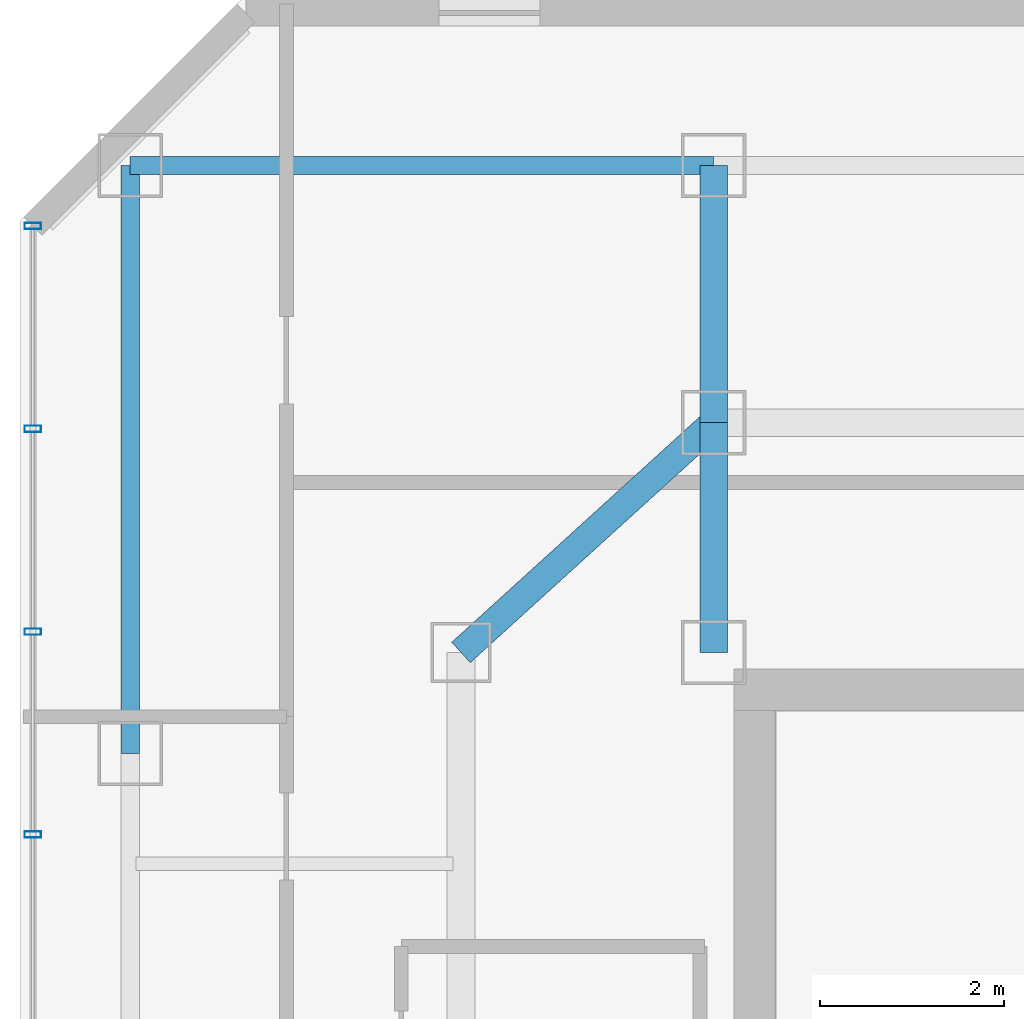
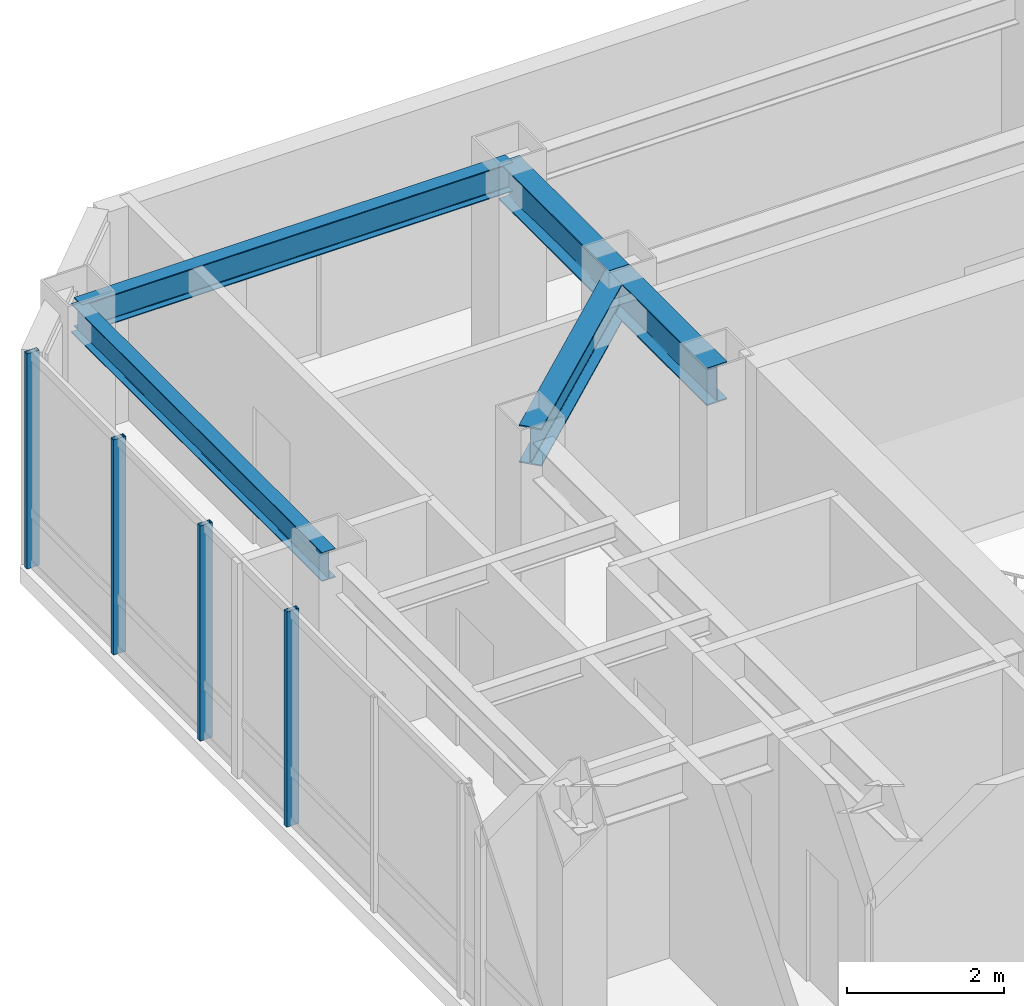
# One storey, part 15 of 26: 5 beams, 4 members, 1 element without a shape of its own.
"""IFC4 building model written with IfcOpenShell, lengths in metres."""

import ifcopenshell
import ifcopenshell.guid

model = None  # the IFC model being written
_history = None  # IfcOwnerHistory: only IFC2X3 demands one
_inside = {}  # id of a spatial element -> (the spatial element, [elements in it])
_under = {}  # id of a project, library or spatial element -> (it, [spatial elements below it])
_declared = {}  # id of a project -> (the project, [libraries it declares])
_typed = {}  # id of a type object -> (the type object, [elements of that type])
_made_of = {}  # id of a material, layer set ... -> (it, [elements and type objects made of it])


def new_model(schema):
    """Start an empty IFC model of exactly this schema.

    Asked for "IFC4X3", IfcOpenShell would pick the latest addendum, in which some entities
    have other attributes; the version numbers below select the first issue.
    IFC2X3 requires an IfcOwnerHistory on every rooted entity: one is made here for all.
    """
    global model, _history
    if schema == "IFC4X3":
        model = ifcopenshell.file(schema_version=(4, 3, 0, 0))
    else:
        model = ifcopenshell.file(schema=schema)
    _inside.clear()
    _under.clear()
    _declared.clear()
    _typed.clear()
    _made_of.clear()
    _history = None
    if model.schema == "IFC2X3":
        org = make("IfcOrganization", Name="unknown")
        user = make(
            "IfcPersonAndOrganization",
            ThePerson=make("IfcPerson", FamilyName="unknown"),
            TheOrganization=org,
        )
        app = make(
            "IfcApplication",
            ApplicationDeveloper=org,
            Version="unknown",
            ApplicationFullName="unknown",
            ApplicationIdentifier="unknown",
        )
        _history = make(
            "IfcOwnerHistory",
            OwningUser=user,
            OwningApplication=app,
            ChangeAction="ADDED",
            CreationDate=0,
        )
    return model


def make(cls, **values):
    """One entity of the class cls with the attributes given. An attribute that is None is left unset."""
    return model.create_entity(
        cls, **{name: value for name, value in values.items() if value is not None}
    )


def rooted(cls, **values):
    """An entity with a GlobalId (a new one), such as an element, a storey or a relation."""
    return make(cls, GlobalId=ifcopenshell.guid.new(), OwnerHistory=_history, **values)


def si_unit(unit_type, name, prefix=None):
    """IfcSIUnit, for example si_unit("LENGTHUNIT", "METRE", prefix="MILLI")."""
    return make("IfcSIUnit", UnitType=unit_type, Prefix=prefix, Name=name)


def assignment(units):
    """IfcUnitAssignment: the units of a project."""
    return None if units is None else make("IfcUnitAssignment", Units=units)


def point(xyz):
    """IfcCartesianPoint."""
    return None if xyz is None else make("IfcCartesianPoint", Coordinates=xyz)


def direction(xyz):
    """IfcDirection."""
    return None if xyz is None else make("IfcDirection", DirectionRatios=xyz)


def frame(location, z_axis=None, x_axis=None):
    """IfcAxis2Placement3D, a coordinate frame: its origin and axes. An axis left out is left unset."""
    return make(
        "IfcAxis2Placement3D",
        Location=point(location),
        Axis=direction(z_axis),
        RefDirection=direction(x_axis),
    )


def frame_2d(location, x_axis=None):
    """IfcAxis2Placement2D, a coordinate frame in the plane: its origin and x axis."""
    return make(
        "IfcAxis2Placement2D", Location=point(location), RefDirection=direction(x_axis)
    )


def origin():
    """The frame at (0, 0, 0) with its axes left unset."""
    return frame((0.0, 0.0, 0.0))


def origin_2d():
    """The frame at (0, 0) in the plane with its x axis left unset."""
    return frame_2d((0.0, 0.0))


def place(relative_to, where):
    """IfcLocalPlacement: puts the frame where relative to a parent placement (None: the world)."""
    return make(
        "IfcLocalPlacement", PlacementRelTo=relative_to, RelativePlacement=where
    )


def context(
    kind, dimensions, precision=None, world=None, true_north=None, identifier=None
):
    """IfcGeometricRepresentationContext, for example the 3D "Model" context."""
    return make(
        "IfcGeometricRepresentationContext",
        ContextIdentifier=identifier,
        ContextType=kind,
        CoordinateSpaceDimension=dimensions,
        Precision=precision,
        WorldCoordinateSystem=world,
        TrueNorth=true_north,
    )


def subcontext(parent, identifier, kind, view, scale=None):
    """IfcGeometricRepresentationSubContext, for example "Body" below "Model"."""
    return make(
        "IfcGeometricRepresentationSubContext",
        ContextIdentifier=identifier,
        ContextType=kind,
        ParentContext=parent,
        TargetScale=scale,
        TargetView=view,
    )


def project(units=None, contexts=None):
    """IfcProject with its units and contexts."""
    return rooted(
        "IfcProject",
        Name="project",
        RepresentationContexts=contexts,
        UnitsInContext=assignment(units),
    )


def spatial(cls, under=None, at=None, **own):
    """A site, building, storey or space (cls), placed at a placement, below another one or the project."""
    s = rooted(cls, ObjectPlacement=at, **own)
    if under is not None:
        _under.setdefault(under.id(), (under, []))[1].append(s)
    return s


def profile(cls, at=None, kind="AREA", **sizes):
    """A parametric profile (cls). Its sizes go by their IFC names, for example OverallWidth=200.0."""
    return make(cls, ProfileType=kind, Position=at, **sizes)


def hollow_rectangle(**sizes):
    """IfcRectangleHollowProfileDef."""
    return profile("IfcRectangleHollowProfileDef", **sizes)


def i_section(**sizes):
    """IfcIShapeProfileDef."""
    return profile("IfcIShapeProfileDef", **sizes)


def extrude(swept, where, along, depth):
    """IfcExtrudedAreaSolid: the profile swept, set in the frame where, extruded along a direction by depth."""
    return make(
        "IfcExtrudedAreaSolid",
        SweptArea=swept,
        Position=where,
        ExtrudedDirection=direction(along),
        Depth=depth,
    )


def shape(context_of_items, identifier, shape_type, items):
    """IfcShapeRepresentation: the items that make up one representation, for example the "Body"."""
    return make(
        "IfcShapeRepresentation",
        ContextOfItems=context_of_items,
        RepresentationIdentifier=identifier,
        RepresentationType=shape_type,
        Items=items,
    )


def material(Name=None, Category=None):
    """IfcMaterial."""
    return make("IfcMaterial", Name=Name, Category=Category)


def layer(
    of_material, thickness, ventilated=None, Name=None, Category=None, Priority=None
):
    """IfcMaterialLayer: one layer of a wall or slab, of a material (None: an air gap)."""
    return make(
        "IfcMaterialLayer",
        Material=of_material,
        LayerThickness=thickness,
        IsVentilated=ventilated,
        Name=Name,
        Category=Category,
        Priority=Priority,
    )


def layer_set(layers, Name=None):
    """IfcMaterialLayerSet."""
    return make("IfcMaterialLayerSet", MaterialLayers=layers, LayerSetName=Name)


def material_profile(
    of_material, cross_section, Name=None, Category=None, Priority=None
):
    """IfcMaterialProfile: a cross section and its material."""
    return make(
        "IfcMaterialProfile",
        Name=Name,
        Material=of_material,
        Profile=cross_section,
        Priority=Priority,
        Category=Category,
    )


def profile_set(profiles, Name=None, composite=None):
    """IfcMaterialProfileSet."""
    return make(
        "IfcMaterialProfileSet",
        Name=Name,
        MaterialProfiles=profiles,
        CompositeProfile=composite,
    )


def made_of(thing, what):
    """Note that an element or type object is made of a material, layer set ...; save() writes the relation."""
    if what is not None:
        _made_of.setdefault(what.id(), (what, []))[1].append(thing)
    return thing


def type_object(cls, material=None, **own):
    """A type object (cls), such as IfcWallType, which elements share."""
    return made_of(rooted(cls, **own), material)


def element(
    cls,
    number,
    at=None,
    inside=None,
    cuts=None,
    type_object=None,
    material=None,
    context=None,
    identifier="Body",
    shape_type=None,
    held_by="IfcProductDefinitionShape",
    body=None,
    shapes=None,
    **own,
):
    """One element of the class cls, such as IfcWall. Its Tag is "e" and its number.

    at: its placement. inside: the storey or other place that contains it. cuts: it is an
    opening in that element (IfcRelVoidsElement). A single representation is given by context,
    identifier, shape_type and body (its items); several are given by shapes. held_by: the class
    of the entity that holds the representations. save() writes the other relations.
    """
    e = rooted(cls, Tag="e%d" % number, ObjectPlacement=at, **own)
    if body is not None:
        shapes = [shape(context, identifier, shape_type, body)]
    if shapes is not None:
        e.Representation = make(held_by, Representations=shapes)
    if inside is not None:
        _inside.setdefault(inside.id(), (inside, []))[1].append(e)
    if cuts is not None:
        rooted(
            "IfcRelVoidsElement", RelatingBuildingElement=cuts, RelatedOpeningElement=e
        )
    if type_object is not None:
        _typed.setdefault(type_object.id(), (type_object, []))[1].append(e)
    return made_of(e, material)


def aggregate(whole, parts):
    """IfcRelAggregates: a whole, such as a stair, and the parts it consists of."""
    return rooted("IfcRelAggregates", RelatingObject=whole, RelatedObjects=parts)


def save(model, path):
    """Write the relations noted so far, then the file.

    IfcRelAggregates (storeys below a building ...), IfcRelContainedInSpatialStructure (elements
    in a storey), IfcRelDefinesByType, IfcRelAssociatesMaterial and IfcRelDeclares: one each for
    every whole, place, type object, material and project.
    """
    for whole, parts in _under.values():
        aggregate(whole, parts)
    for where, things in _inside.values():
        rooted(
            "IfcRelContainedInSpatialStructure",
            RelatedElements=things,
            RelatingStructure=where,
        )
    for kind, things in _typed.values():
        rooted("IfcRelDefinesByType", RelatedObjects=things, RelatingType=kind)
    for what, things in _made_of.values():
        rooted("IfcRelAssociatesMaterial", RelatedObjects=things, RelatingMaterial=what)
    for by, libraries in _declared.values():
        rooted("IfcRelDeclares", RelatingContext=by, RelatedDefinitions=libraries)
    model.write(path)


model = new_model("IFC4")

# Units and contexts
model_context = context("Model", 3, precision=1e-05, world=origin(), true_north=direction((0.0, 1.0)))
body_context = subcontext(model_context, "Body", "Model", "MODEL_VIEW")
ifc_project = project(units=[si_unit("LENGTHUNIT", "METRE"), si_unit("AREAUNIT", "SQUARE_METRE"), si_unit("VOLUMEUNIT", "CUBIC_METRE"), si_unit("PLANEANGLEUNIT", "RADIAN"), si_unit("MASSUNIT", "GRAM", prefix="KILO")], contexts=[model_context])

# Site, building, storey
site_placement = place(None, origin())
site = spatial("IfcSite", under=ifc_project, at=site_placement, CompositionType="ELEMENT")
building_placement = place(site_placement, origin())
building = spatial("IfcBuilding", under=site, at=building_placement, Name="Hatsunagi Terrace Concourse", CompositionType="ELEMENT")
storey_placement = place(building_placement, frame((0.0, 0.0, 227.550048828125)))
storey = spatial("IfcBuildingStorey", under=building, at=storey_placement, Name="L60", CompositionType="ELEMENT", Elevation=227.550048828125)

# Curtain wall, members
ifc_material_1 = material(Name="Anodised Aluminium Alloy 6063-T5", Category="aluminium")
ifc_layer = layer(ifc_material_1, 0.199951171875)
ifc_layer_set = layer_set([ifc_layer], Name="OfficeZone2_CW04")
curtain_wall_type = type_object("IfcCurtainWallType", Name="OfficeZone2_CW04", PredefinedType="NOTDEFINED", material=ifc_layer_set)
curtain_wall_placement = place(storey_placement, origin())
curtain_wall = element("IfcCurtainWall", 1, at=curtain_wall_placement, inside=storey, type_object=curtain_wall_type, Name="Unitised Curtain Wall CW-04 CW-L60-08", PredefinedType="NOTDEFINED")
ifc_material_2 = material(Name="Anodised Aluminium Alloy 6063-T5", Category="aluminium")
ifc_material_profile_1 = material_profile(ifc_material_2, hollow_rectangle(XDim=0.070068359375, YDim=0.179931640625, WallThickness=0.00390625, at=origin_2d()), Name="ALU-MUL-180x70x4")
ifc_profile_set_1 = profile_set([ifc_material_profile_1], Name="Anodised Aluminium Alloy 6063-T5")
member_type = type_object("IfcMemberType", Name="CurtainWallMullion_180x70", PredefinedType="MULLION", material=ifc_profile_set_1)
member_1_placement = place(storey_placement, frame((18.139892578125, 41.31689453125, 0.0), z_axis=(0.0, 0.0, 1.0), x_axis=(0.0, 1.0, 0.0)))
member_1 = element("IfcMember", 2, at=member_1_placement, type_object=member_type, Name="Curtain Wall Mullion MUL-02", PredefinedType="MULLION", context=body_context, shape_type="SweptSolid", body=[
    extrude(hollow_rectangle(XDim=0.070068359375, YDim=0.179931640625, WallThickness=0.00390625, at=origin_2d()), origin(), (0.0, 0.0, 1.0), 3.349853515625),
])
member_2_placement = place(storey_placement, frame((18.139892578125, 43.52490234375, 0.0), z_axis=(0.0, 0.0, 1.0), x_axis=(0.0, 1.0, 0.0)))
member_2 = element("IfcMember", 3, at=member_2_placement, type_object=member_type, Name="Curtain Wall Mullion MUL-02", PredefinedType="MULLION", context=body_context, shape_type="SweptSolid", body=[
    extrude(hollow_rectangle(XDim=0.070068359375, YDim=0.179931640625, WallThickness=0.00390625, at=origin_2d()), origin(), (0.0, 0.0, 1.0), 3.349853515625),
])
member_3_placement = place(storey_placement, frame((18.139892578125, 45.73388671875, 0.0), z_axis=(0.0, 0.0, 1.0), x_axis=(0.0, 1.0, 0.0)))
member_3 = element("IfcMember", 4, at=member_3_placement, type_object=member_type, Name="Curtain Wall Mullion MUL-02", PredefinedType="MULLION", context=body_context, shape_type="SweptSolid", body=[
    extrude(hollow_rectangle(XDim=0.070068359375, YDim=0.179931640625, WallThickness=0.00390625, at=origin_2d()), origin(), (0.0, 0.0, 1.0), 3.349853515625),
])
member_4_placement = place(storey_placement, frame((18.139892578125, 47.94189453125, 0.0), z_axis=(0.0, 0.0, 1.0), x_axis=(0.0, 1.0, 0.0)))
member_4 = element("IfcMember", 5, at=member_4_placement, type_object=member_type, Name="Curtain Wall Mullion MUL-02", PredefinedType="MULLION", context=body_context, shape_type="SweptSolid", body=[
    extrude(hollow_rectangle(XDim=0.070068359375, YDim=0.179931640625, WallThickness=0.00390625, at=origin_2d()), origin(), (0.0, 0.0, 1.0), 3.349853515625),
])
aggregate(curtain_wall, [member_1, member_2, member_3, member_4])

# Beams
ifc_material_3 = material(Name="Steel SN490B", Category="steel")
ifc_material_profile_2 = material_profile(ifc_material_3, i_section(OverallWidth=0.300048828125, OverallDepth=0.587890625, WebThickness=0.011962890625, FlangeThickness=0.02001953125, FilletRadius=0.01806640625, at=origin_2d()), Name="H-588x300x12x20")
ifc_profile_set_2 = profile_set([ifc_material_profile_2], Name="Steel SN490B")
beam_type_1 = type_object("IfcBeamType", Name="OfficeHighGirder_H_588x300", PredefinedType="BEAM", material=ifc_profile_set_2)
beam_1_placement = place(storey_placement, frame((25.550048828125, 43.300048828125, 3.055908203125), z_axis=(0.0, 1.0, 0.0), x_axis=(-1.0, 0.0, 0.0)))
element("IfcBeam", 6, at=beam_1_placement, inside=storey, type_object=beam_type_1, Name="Beam G-06 BM-L60-CN1", PredefinedType="BEAM", context=body_context, shape_type="SweptSolid", body=[
    extrude(i_section(OverallWidth=0.300048828125, OverallDepth=0.587890625, WebThickness=0.011962890625, FlangeThickness=0.02001953125, FilletRadius=0.01806640625, at=origin_2d()), origin(), (0.0, 0.0, 1.0), 2.5),
])
beam_2_placement = place(storey_placement, frame((25.550048828125, 45.800048828125, 3.055908203125), z_axis=(0.0, 1.0, 0.0), x_axis=(-1.0, 0.0, 0.0)))
element("IfcBeam", 7, at=beam_2_placement, inside=storey, type_object=beam_type_1, Name="Beam G-06 BM-L60-KN-WN4", PredefinedType="BEAM", context=body_context, shape_type="SweptSolid", body=[
    extrude(i_section(OverallWidth=0.300048828125, OverallDepth=0.587890625, WebThickness=0.011962890625, FlangeThickness=0.02001953125, FilletRadius=0.01806640625, at=origin_2d()), origin(), (0.0, 0.0, 1.0), 2.800048828125),
])
beam_3_placement = place(storey_placement, frame((22.800048828125, 43.300048828125, 3.055908203125), z_axis=(0.739940073396, 0.672672793996, 0.0), x_axis=(-0.672672793996, 0.739940073396, 0.0)))
element("IfcBeam", 8, at=beam_3_placement, inside=storey, type_object=beam_type_1, Name="Beam G-06 BM-L60-CWEW-N", PredefinedType="BEAM", context=body_context, shape_type="SweptSolid", body=[
    extrude(i_section(OverallWidth=0.300048828125, OverallDepth=0.587890625, WebThickness=0.011962890625, FlangeThickness=0.02001953125, FilletRadius=0.01806640625, at=origin_2d()), origin(), (0.0, 0.0, 1.0), 3.716552734375),
])
ifc_material_4 = material(Name="Steel SN490B", Category="steel")
ifc_material_profile_3 = material_profile(ifc_material_4, i_section(OverallWidth=0.199951171875, OverallDepth=0.449951171875, WebThickness=0.009033203125, FlangeThickness=0.013916015625, FilletRadius=0.01611328125, at=origin_2d()), Name="H-450x200x9x14")
ifc_profile_set_3 = profile_set([ifc_material_profile_3], Name="Steel SN490B")
beam_type_2 = type_object("IfcBeamType", Name="PerimeterSpandrel_H_450x200", PredefinedType="SPANDREL", material=ifc_profile_set_3)
beam_4_placement = place(storey_placement, frame((19.199951171875, 48.60009765625, 3.125), z_axis=(1.0, 0.0, 0.0), x_axis=(0.0, 1.0, 0.0)))
element("IfcBeam", 9, at=beam_4_placement, inside=storey, type_object=beam_type_2, Name="Beam SP-02 BM-L60-WN-19", PredefinedType="SPANDREL", context=body_context, shape_type="SweptSolid", body=[
    extrude(i_section(OverallWidth=0.199951171875, OverallDepth=0.449951171875, WebThickness=0.009033203125, FlangeThickness=0.013916015625, FilletRadius=0.01611328125, at=origin_2d()), origin(), (0.0, 0.0, 1.0), 6.35009765625),
])
beam_5_placement = place(storey_placement, frame((19.199951171875, 42.199951171875, 3.125), z_axis=(0.0, 1.0, 0.0), x_axis=(-1.0, 0.0, 0.0)))
element("IfcBeam", 10, at=beam_5_placement, inside=storey, type_object=beam_type_2, Name="Beam SP-02 BM-L60-NS-19-42", PredefinedType="SPANDREL", context=body_context, shape_type="SweptSolid", body=[
    extrude(i_section(OverallWidth=0.199951171875, OverallDepth=0.449951171875, WebThickness=0.009033203125, FlangeThickness=0.013916015625, FilletRadius=0.01611328125, at=origin_2d()), origin(), (0.0, 0.0, 1.0), 6.400146484375),
])

save(model, "model.ifc")
